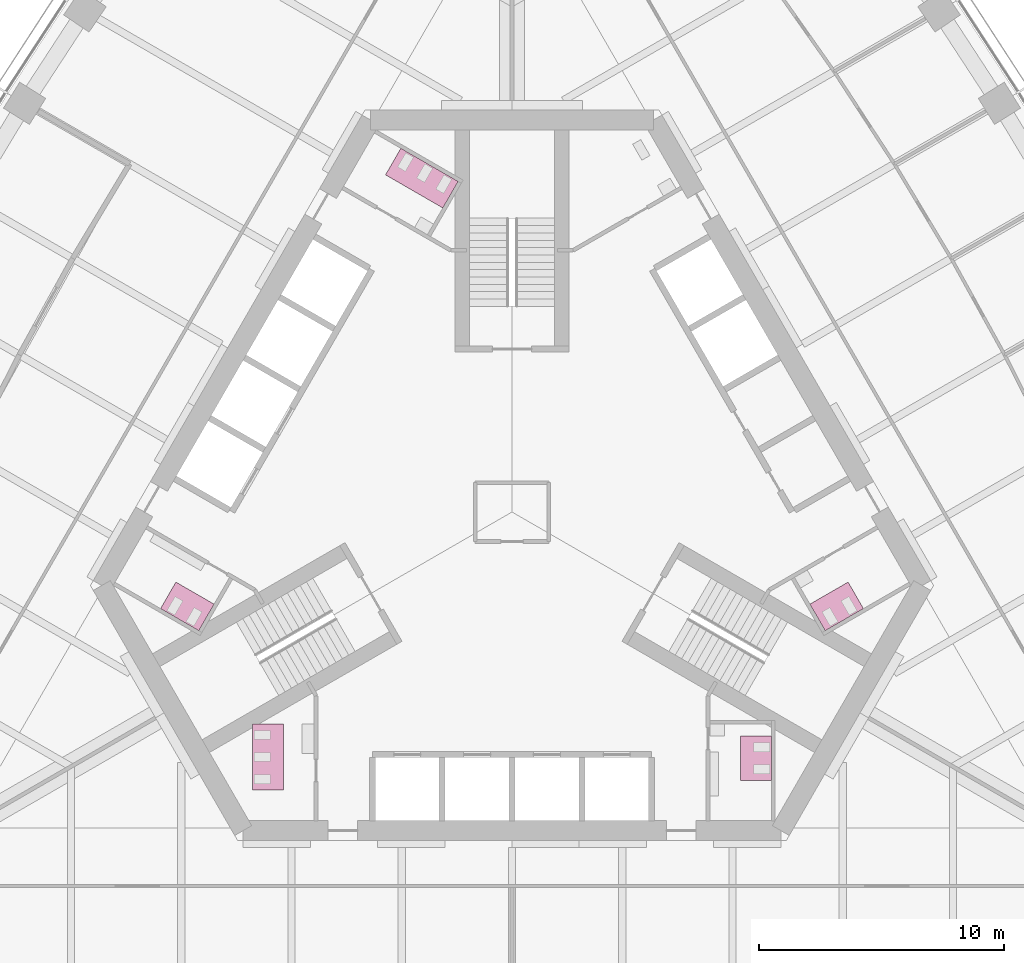
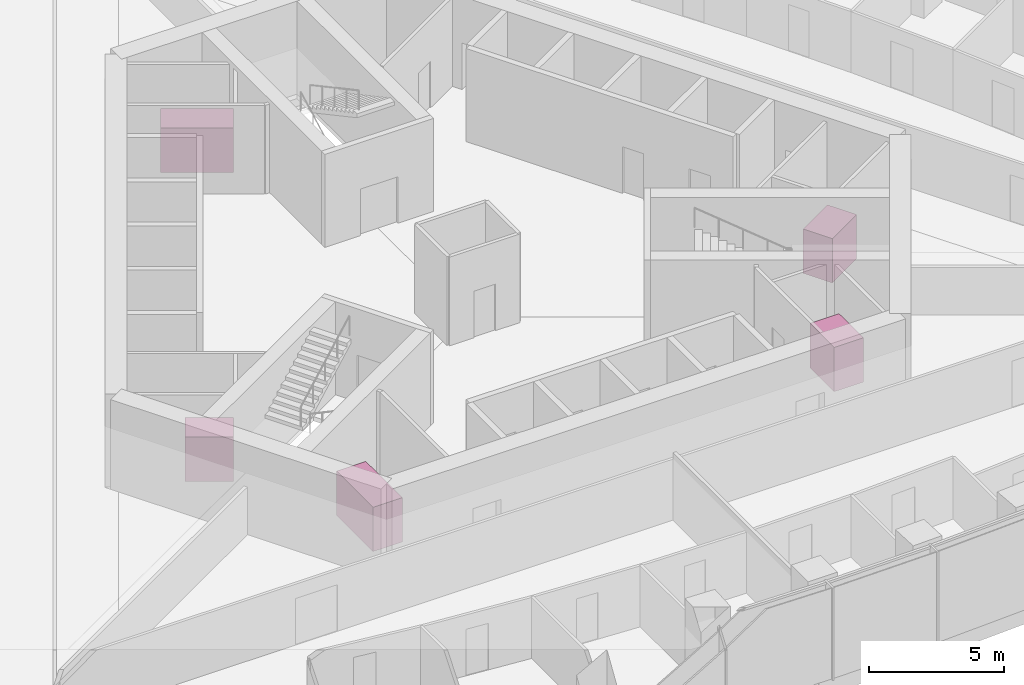
# One storey, part 21 of 21: 5 furniture elements.
"""IFC4 building model written with IfcOpenShell, lengths in metres."""

import ifcopenshell
import ifcopenshell.guid

model = None  # the IFC model being written
_history = None  # IfcOwnerHistory: only IFC2X3 demands one
_inside = {}  # id of a spatial element -> (the spatial element, [elements in it])
_under = {}  # id of a project, library or spatial element -> (it, [spatial elements below it])
_declared = {}  # id of a project -> (the project, [libraries it declares])
_typed = {}  # id of a type object -> (the type object, [elements of that type])
_made_of = {}  # id of a material, layer set ... -> (it, [elements and type objects made of it])


def new_model(schema):
    """Start an empty IFC model of exactly this schema.

    Asked for "IFC4X3", IfcOpenShell would pick the latest addendum, in which some entities
    have other attributes; the version numbers below select the first issue.
    IFC2X3 requires an IfcOwnerHistory on every rooted entity: one is made here for all.
    """
    global model, _history
    if schema == "IFC4X3":
        model = ifcopenshell.file(schema_version=(4, 3, 0, 0))
    else:
        model = ifcopenshell.file(schema=schema)
    _inside.clear()
    _under.clear()
    _declared.clear()
    _typed.clear()
    _made_of.clear()
    _history = None
    if model.schema == "IFC2X3":
        org = make("IfcOrganization", Name="unknown")
        user = make(
            "IfcPersonAndOrganization",
            ThePerson=make("IfcPerson", FamilyName="unknown"),
            TheOrganization=org,
        )
        app = make(
            "IfcApplication",
            ApplicationDeveloper=org,
            Version="unknown",
            ApplicationFullName="unknown",
            ApplicationIdentifier="unknown",
        )
        _history = make(
            "IfcOwnerHistory",
            OwningUser=user,
            OwningApplication=app,
            ChangeAction="ADDED",
            CreationDate=0,
        )
    return model


def make(cls, **values):
    """One entity of the class cls with the attributes given. An attribute that is None is left unset."""
    return model.create_entity(
        cls, **{name: value for name, value in values.items() if value is not None}
    )


def rooted(cls, **values):
    """An entity with a GlobalId (a new one), such as an element, a storey or a relation."""
    return make(cls, GlobalId=ifcopenshell.guid.new(), OwnerHistory=_history, **values)


def si_unit(unit_type, name, prefix=None):
    """IfcSIUnit, for example si_unit("LENGTHUNIT", "METRE", prefix="MILLI")."""
    return make("IfcSIUnit", UnitType=unit_type, Prefix=prefix, Name=name)


def assignment(units):
    """IfcUnitAssignment: the units of a project."""
    return None if units is None else make("IfcUnitAssignment", Units=units)


def point(xyz):
    """IfcCartesianPoint."""
    return None if xyz is None else make("IfcCartesianPoint", Coordinates=xyz)


def direction(xyz):
    """IfcDirection."""
    return None if xyz is None else make("IfcDirection", DirectionRatios=xyz)


def frame(location, z_axis=None, x_axis=None):
    """IfcAxis2Placement3D, a coordinate frame: its origin and axes. An axis left out is left unset."""
    return make(
        "IfcAxis2Placement3D",
        Location=point(location),
        Axis=direction(z_axis),
        RefDirection=direction(x_axis),
    )


def origin():
    """The frame at (0, 0, 0) with its axes left unset."""
    return frame((0.0, 0.0, 0.0))


def place(relative_to, where):
    """IfcLocalPlacement: puts the frame where relative to a parent placement (None: the world)."""
    return make(
        "IfcLocalPlacement", PlacementRelTo=relative_to, RelativePlacement=where
    )


def context(
    kind, dimensions, precision=None, world=None, true_north=None, identifier=None
):
    """IfcGeometricRepresentationContext, for example the 3D "Model" context."""
    return make(
        "IfcGeometricRepresentationContext",
        ContextIdentifier=identifier,
        ContextType=kind,
        CoordinateSpaceDimension=dimensions,
        Precision=precision,
        WorldCoordinateSystem=world,
        TrueNorth=true_north,
    )


def subcontext(parent, identifier, kind, view, scale=None):
    """IfcGeometricRepresentationSubContext, for example "Body" below "Model"."""
    return make(
        "IfcGeometricRepresentationSubContext",
        ContextIdentifier=identifier,
        ContextType=kind,
        ParentContext=parent,
        TargetScale=scale,
        TargetView=view,
    )


def project(units=None, contexts=None):
    """IfcProject with its units and contexts."""
    return rooted(
        "IfcProject",
        Name="project",
        RepresentationContexts=contexts,
        UnitsInContext=assignment(units),
    )


def spatial(cls, under=None, at=None, **own):
    """A site, building, storey or space (cls), placed at a placement, below another one or the project."""
    s = rooted(cls, ObjectPlacement=at, **own)
    if under is not None:
        _under.setdefault(under.id(), (under, []))[1].append(s)
    return s


def polyline(points):
    """IfcPolyline through the points."""
    return make("IfcPolyline", Points=[point(p) for p in points])


def outline(outer, holes=None, kind="AREA"):
    """IfcArbitraryClosedProfileDef: a profile drawn as a closed curve; with holes, ...WithVoids."""
    if holes is None:
        return make("IfcArbitraryClosedProfileDef", ProfileType=kind, OuterCurve=outer)
    return make(
        "IfcArbitraryProfileDefWithVoids",
        ProfileType=kind,
        OuterCurve=outer,
        InnerCurves=holes,
    )


def extrude(swept, where, along, depth):
    """IfcExtrudedAreaSolid: the profile swept, set in the frame where, extruded along a direction by depth."""
    return make(
        "IfcExtrudedAreaSolid",
        SweptArea=swept,
        Position=where,
        ExtrudedDirection=direction(along),
        Depth=depth,
    )


def shape(context_of_items, identifier, shape_type, items):
    """IfcShapeRepresentation: the items that make up one representation, for example the "Body"."""
    return make(
        "IfcShapeRepresentation",
        ContextOfItems=context_of_items,
        RepresentationIdentifier=identifier,
        RepresentationType=shape_type,
        Items=items,
    )


def material(Name=None, Category=None):
    """IfcMaterial."""
    return make("IfcMaterial", Name=Name, Category=Category)


def made_of(thing, what):
    """Note that an element or type object is made of a material, layer set ...; save() writes the relation."""
    if what is not None:
        _made_of.setdefault(what.id(), (what, []))[1].append(thing)
    return thing


def type_object(cls, material=None, **own):
    """A type object (cls), such as IfcWallType, which elements share."""
    return made_of(rooted(cls, **own), material)


def element(
    cls,
    number,
    at=None,
    inside=None,
    cuts=None,
    type_object=None,
    material=None,
    context=None,
    identifier="Body",
    shape_type=None,
    held_by="IfcProductDefinitionShape",
    body=None,
    shapes=None,
    **own,
):
    """One element of the class cls, such as IfcWall. Its Tag is "e" and its number.

    at: its placement. inside: the storey or other place that contains it. cuts: it is an
    opening in that element (IfcRelVoidsElement). A single representation is given by context,
    identifier, shape_type and body (its items); several are given by shapes. held_by: the class
    of the entity that holds the representations. save() writes the other relations.
    """
    e = rooted(cls, Tag="e%d" % number, ObjectPlacement=at, **own)
    if body is not None:
        shapes = [shape(context, identifier, shape_type, body)]
    if shapes is not None:
        e.Representation = make(held_by, Representations=shapes)
    if inside is not None:
        _inside.setdefault(inside.id(), (inside, []))[1].append(e)
    if cuts is not None:
        rooted(
            "IfcRelVoidsElement", RelatingBuildingElement=cuts, RelatedOpeningElement=e
        )
    if type_object is not None:
        _typed.setdefault(type_object.id(), (type_object, []))[1].append(e)
    return made_of(e, material)


def aggregate(whole, parts):
    """IfcRelAggregates: a whole, such as a stair, and the parts it consists of."""
    return rooted("IfcRelAggregates", RelatingObject=whole, RelatedObjects=parts)


def save(model, path):
    """Write the relations noted so far, then the file.

    IfcRelAggregates (storeys below a building ...), IfcRelContainedInSpatialStructure (elements
    in a storey), IfcRelDefinesByType, IfcRelAssociatesMaterial and IfcRelDeclares: one each for
    every whole, place, type object, material and project.
    """
    for whole, parts in _under.values():
        aggregate(whole, parts)
    for where, things in _inside.values():
        rooted(
            "IfcRelContainedInSpatialStructure",
            RelatedElements=things,
            RelatingStructure=where,
        )
    for kind, things in _typed.values():
        rooted("IfcRelDefinesByType", RelatedObjects=things, RelatingType=kind)
    for what, things in _made_of.values():
        rooted("IfcRelAssociatesMaterial", RelatedObjects=things, RelatingMaterial=what)
    for by, libraries in _declared.values():
        rooted("IfcRelDeclares", RelatingContext=by, RelatedDefinitions=libraries)
    model.write(path)


model = new_model("IFC4")

# Units and contexts
model_context = context("Model", 3, precision=1e-05, world=origin(), true_north=direction((0.0, 1.0)))
body_context = subcontext(model_context, "Body", "Model", "MODEL_VIEW")
ifc_project = project(units=[si_unit("LENGTHUNIT", "METRE"), si_unit("AREAUNIT", "SQUARE_METRE"), si_unit("VOLUMEUNIT", "CUBIC_METRE"), si_unit("PLANEANGLEUNIT", "RADIAN"), si_unit("MASSUNIT", "GRAM", prefix="KILO")], contexts=[model_context])

# Site, building, storey
site_placement = place(None, origin())
site = spatial("IfcSite", under=ifc_project, at=site_placement, CompositionType="ELEMENT")
building_placement = place(site_placement, origin())
building = spatial("IfcBuilding", under=site, at=building_placement, Name="Trefoil Bronze Tower", CompositionType="ELEMENT")
storey_placement = place(building_placement, frame((0.0, 0.0, 149.300048828125)))
storey = spatial("IfcBuildingStorey", under=building, at=storey_placement, Name="L34", CompositionType="ELEMENT", Elevation=149.300048828125)

# Furniture
ifc_material_1 = material(Name="Compact laminate cubicles", Category="plastic")
furniture_type_1 = type_object("IfcFurnitureType", Name="WC cubicle range 2 cubicles", AssemblyPlace="FACTORY", PredefinedType="USERDEFINED", material=ifc_material_1)
furniture_1_placement = place(storey_placement, origin())
element("IfcFurniture", 1, at=furniture_1_placement, inside=storey, type_object=furniture_type_1, Name="WC cubicle range WC (men) L34", ObjectType="WC cubicle range", PredefinedType="USERDEFINED", context=body_context, shape_type="SweptSolid", body=[
    extrude(outline(polyline([(9.3349609375, -9.14990234375), (10.5849609375, -9.14990234375), (10.5849609375, -10.949951171875), (9.3349609375, -10.949951171875), (9.3349609375, -9.14990234375)])), origin(), (0.0, 0.0, 1.0), 2.0),
])
furniture_2_placement = place(storey_placement, origin())
element("IfcFurniture", 2, at=furniture_2_placement, inside=storey, type_object=furniture_type_1, Name="WC cubicle range WC (women) L34", ObjectType="WC cubicle range", PredefinedType="USERDEFINED", context=body_context, shape_type="SweptSolid", body=[
    extrude(outline(polyline([(12.15869140625, -3.75927734375), (12.78369140625, -4.841796875), (14.342529296875, -3.94189453125), (13.717529296875, -2.859375), (12.15869140625, -3.75927734375)])), origin(), (0.0, 0.0, 1.0), 2.0),
])
furniture_3_placement = place(storey_placement, origin())
element("IfcFurniture", 3, at=furniture_3_placement, inside=storey, type_object=furniture_type_1, Name="WC cubicle range WC (men) L34", ObjectType="WC cubicle range", PredefinedType="USERDEFINED", context=body_context, shape_type="SweptSolid", body=[
    extrude(outline(polyline([(-12.15869140625, -3.75927734375), (-12.78369140625, -4.841796875), (-14.342529296875, -3.94189453125), (-13.717529296875, -2.859375), (-12.15869140625, -3.75927734375)])), origin(), (0.0, 0.0, 1.0), 2.0),
])
ifc_material_2 = material(Name="Compact laminate cubicles", Category="plastic")
furniture_type_2 = type_object("IfcFurnitureType", Name="WC cubicle range 3 cubicles", AssemblyPlace="FACTORY", PredefinedType="USERDEFINED", material=ifc_material_2)
furniture_4_placement = place(storey_placement, origin())
element("IfcFurniture", 4, at=furniture_4_placement, inside=storey, type_object=furniture_type_2, Name="WC cubicle range WC (women) L34", ObjectType="WC cubicle range", PredefinedType="USERDEFINED", context=body_context, shape_type="SweptSolid", body=[
    extrude(outline(polyline([(-2.82373046875, 12.409423828125), (-2.19873046875, 13.491943359375), (-4.536865234375, 14.841796875), (-5.161865234375, 13.75927734375), (-2.82373046875, 12.409423828125)])), origin(), (0.0, 0.0, 1.0), 2.0),
])
furniture_5_placement = place(storey_placement, origin())
element("IfcFurniture", 5, at=furniture_5_placement, inside=storey, type_object=furniture_type_2, Name="WC cubicle range WC (women) L34", ObjectType="WC cubicle range", PredefinedType="USERDEFINED", context=body_context, shape_type="SweptSolid", body=[
    extrude(outline(polyline([(-9.3349609375, -8.64990234375), (-10.5849609375, -8.64990234375), (-10.5849609375, -11.35009765625), (-9.3349609375, -11.35009765625), (-9.3349609375, -8.64990234375)])), origin(), (0.0, 0.0, 1.0), 2.0),
])

save(model, "model.ifc")
